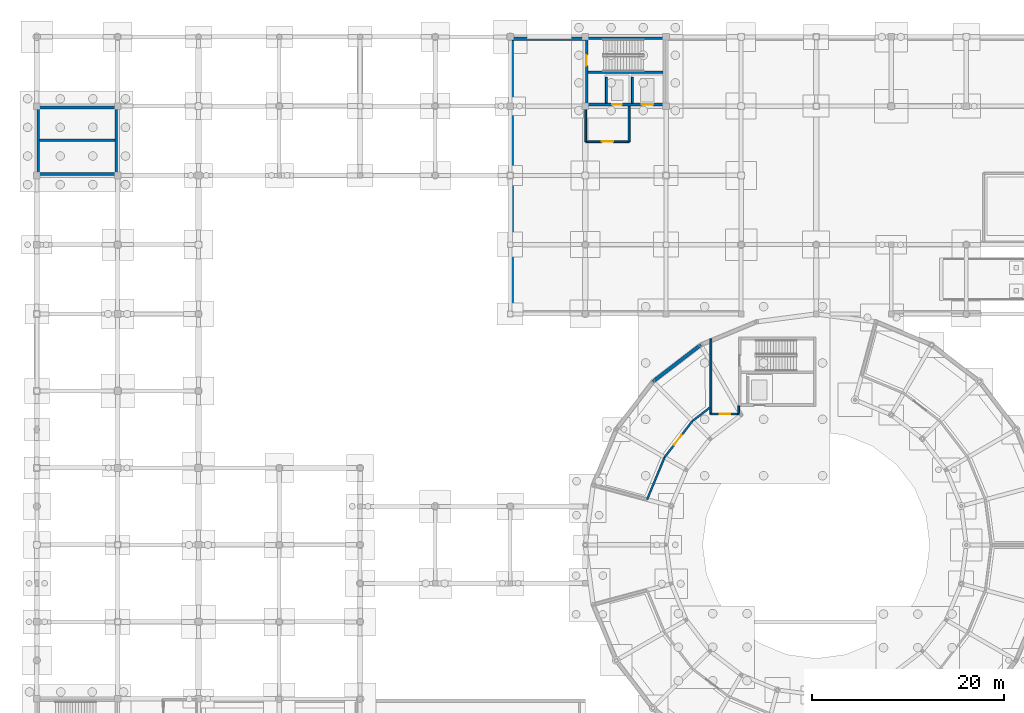
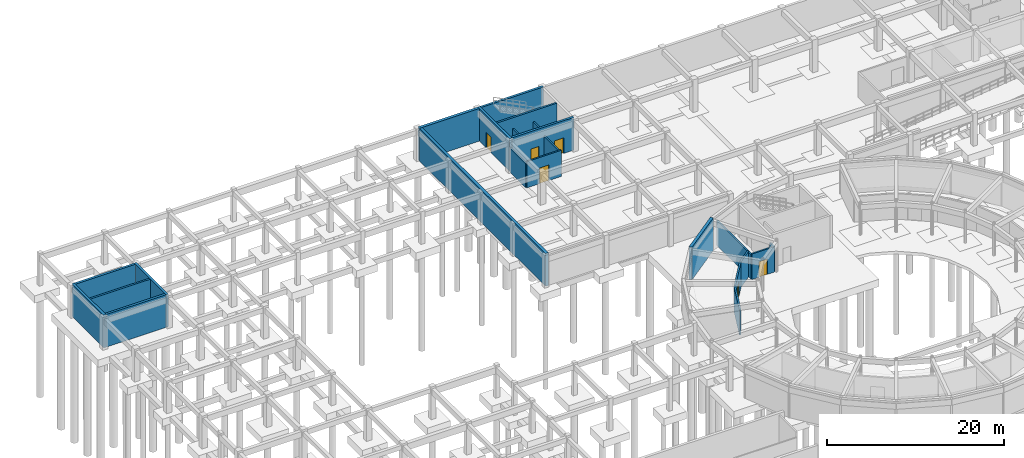
# One storey, part 31 of 43: 23 walls, 6 doors, 6 openings.
"""IFC4 building model written with IfcOpenShell, lengths in metres."""

import ifcopenshell
import ifcopenshell.guid

model = None  # the IFC model being written
_history = None  # IfcOwnerHistory: only IFC2X3 demands one
_inside = {}  # id of a spatial element -> (the spatial element, [elements in it])
_under = {}  # id of a project, library or spatial element -> (it, [spatial elements below it])
_declared = {}  # id of a project -> (the project, [libraries it declares])
_typed = {}  # id of a type object -> (the type object, [elements of that type])
_made_of = {}  # id of a material, layer set ... -> (it, [elements and type objects made of it])


def new_model(schema):
    """Start an empty IFC model of exactly this schema.

    Asked for "IFC4X3", IfcOpenShell would pick the latest addendum, in which some entities
    have other attributes; the version numbers below select the first issue.
    IFC2X3 requires an IfcOwnerHistory on every rooted entity: one is made here for all.
    """
    global model, _history
    if schema == "IFC4X3":
        model = ifcopenshell.file(schema_version=(4, 3, 0, 0))
    else:
        model = ifcopenshell.file(schema=schema)
    _inside.clear()
    _under.clear()
    _declared.clear()
    _typed.clear()
    _made_of.clear()
    _history = None
    if model.schema == "IFC2X3":
        org = make("IfcOrganization", Name="unknown")
        user = make(
            "IfcPersonAndOrganization",
            ThePerson=make("IfcPerson", FamilyName="unknown"),
            TheOrganization=org,
        )
        app = make(
            "IfcApplication",
            ApplicationDeveloper=org,
            Version="unknown",
            ApplicationFullName="unknown",
            ApplicationIdentifier="unknown",
        )
        _history = make(
            "IfcOwnerHistory",
            OwningUser=user,
            OwningApplication=app,
            ChangeAction="ADDED",
            CreationDate=0,
        )
    return model


def make(cls, **values):
    """One entity of the class cls with the attributes given. An attribute that is None is left unset."""
    return model.create_entity(
        cls, **{name: value for name, value in values.items() if value is not None}
    )


def rooted(cls, **values):
    """An entity with a GlobalId (a new one), such as an element, a storey or a relation."""
    return make(cls, GlobalId=ifcopenshell.guid.new(), OwnerHistory=_history, **values)


def si_unit(unit_type, name, prefix=None):
    """IfcSIUnit, for example si_unit("LENGTHUNIT", "METRE", prefix="MILLI")."""
    return make("IfcSIUnit", UnitType=unit_type, Prefix=prefix, Name=name)


def derived_unit(unit_type, elements):
    """IfcDerivedUnit: a product of units, each with its exponent."""
    return make(
        "IfcDerivedUnit",
        Elements=[
            make("IfcDerivedUnitElement", Unit=unit, Exponent=power)
            for unit, power in elements
        ],
        UnitType=unit_type,
    )


def assignment(units):
    """IfcUnitAssignment: the units of a project."""
    return None if units is None else make("IfcUnitAssignment", Units=units)


def point(xyz):
    """IfcCartesianPoint."""
    return None if xyz is None else make("IfcCartesianPoint", Coordinates=xyz)


def direction(xyz):
    """IfcDirection."""
    return None if xyz is None else make("IfcDirection", DirectionRatios=xyz)


def frame(location, z_axis=None, x_axis=None):
    """IfcAxis2Placement3D, a coordinate frame: its origin and axes. An axis left out is left unset."""
    return make(
        "IfcAxis2Placement3D",
        Location=point(location),
        Axis=direction(z_axis),
        RefDirection=direction(x_axis),
    )


def frame_2d(location, x_axis=None):
    """IfcAxis2Placement2D, a coordinate frame in the plane: its origin and x axis."""
    return make(
        "IfcAxis2Placement2D", Location=point(location), RefDirection=direction(x_axis)
    )


def origin():
    """The frame at (0, 0, 0) with its axes left unset."""
    return frame((0.0, 0.0, 0.0))


def place(relative_to, where):
    """IfcLocalPlacement: puts the frame where relative to a parent placement (None: the world)."""
    return make(
        "IfcLocalPlacement", PlacementRelTo=relative_to, RelativePlacement=where
    )


def context(
    kind, dimensions, precision=None, world=None, true_north=None, identifier=None
):
    """IfcGeometricRepresentationContext, for example the 3D "Model" context."""
    return make(
        "IfcGeometricRepresentationContext",
        ContextIdentifier=identifier,
        ContextType=kind,
        CoordinateSpaceDimension=dimensions,
        Precision=precision,
        WorldCoordinateSystem=world,
        TrueNorth=true_north,
    )


def subcontext(parent, identifier, kind, view, scale=None):
    """IfcGeometricRepresentationSubContext, for example "Body" below "Model"."""
    return make(
        "IfcGeometricRepresentationSubContext",
        ContextIdentifier=identifier,
        ContextType=kind,
        ParentContext=parent,
        TargetScale=scale,
        TargetView=view,
    )


def project(units=None, contexts=None):
    """IfcProject with its units and contexts."""
    return rooted(
        "IfcProject",
        Name="project",
        RepresentationContexts=contexts,
        UnitsInContext=assignment(units),
    )


def spatial(cls, under=None, at=None, **own):
    """A site, building, storey or space (cls), placed at a placement, below another one or the project."""
    s = rooted(cls, ObjectPlacement=at, **own)
    if under is not None:
        _under.setdefault(under.id(), (under, []))[1].append(s)
    return s


def profile(cls, at=None, kind="AREA", **sizes):
    """A parametric profile (cls). Its sizes go by their IFC names, for example OverallWidth=200.0."""
    return make(cls, ProfileType=kind, Position=at, **sizes)


def rectangle(**sizes):
    """IfcRectangleProfileDef."""
    return profile("IfcRectangleProfileDef", **sizes)


def extrude(swept, where, along, depth):
    """IfcExtrudedAreaSolid: the profile swept, set in the frame where, extruded along a direction by depth."""
    return make(
        "IfcExtrudedAreaSolid",
        SweptArea=swept,
        Position=where,
        ExtrudedDirection=direction(along),
        Depth=depth,
    )


def shape(context_of_items, identifier, shape_type, items):
    """IfcShapeRepresentation: the items that make up one representation, for example the "Body"."""
    return make(
        "IfcShapeRepresentation",
        ContextOfItems=context_of_items,
        RepresentationIdentifier=identifier,
        RepresentationType=shape_type,
        Items=items,
    )


def material(Name=None, Category=None):
    """IfcMaterial."""
    return make("IfcMaterial", Name=Name, Category=Category)


def layer(
    of_material, thickness, ventilated=None, Name=None, Category=None, Priority=None
):
    """IfcMaterialLayer: one layer of a wall or slab, of a material (None: an air gap)."""
    return make(
        "IfcMaterialLayer",
        Material=of_material,
        LayerThickness=thickness,
        IsVentilated=ventilated,
        Name=Name,
        Category=Category,
        Priority=Priority,
    )


def layer_set(layers, Name=None):
    """IfcMaterialLayerSet."""
    return make("IfcMaterialLayerSet", MaterialLayers=layers, LayerSetName=Name)


def made_of(thing, what):
    """Note that an element or type object is made of a material, layer set ...; save() writes the relation."""
    if what is not None:
        _made_of.setdefault(what.id(), (what, []))[1].append(thing)
    return thing


def type_object(cls, material=None, **own):
    """A type object (cls), such as IfcWallType, which elements share."""
    return made_of(rooted(cls, **own), material)


def element(
    cls,
    number,
    at=None,
    inside=None,
    cuts=None,
    type_object=None,
    material=None,
    context=None,
    identifier="Body",
    shape_type=None,
    held_by="IfcProductDefinitionShape",
    body=None,
    shapes=None,
    **own,
):
    """One element of the class cls, such as IfcWall. Its Tag is "e" and its number.

    at: its placement. inside: the storey or other place that contains it. cuts: it is an
    opening in that element (IfcRelVoidsElement). A single representation is given by context,
    identifier, shape_type and body (its items); several are given by shapes. held_by: the class
    of the entity that holds the representations. save() writes the other relations.
    """
    e = rooted(cls, Tag="e%d" % number, ObjectPlacement=at, **own)
    if body is not None:
        shapes = [shape(context, identifier, shape_type, body)]
    if shapes is not None:
        e.Representation = make(held_by, Representations=shapes)
    if inside is not None:
        _inside.setdefault(inside.id(), (inside, []))[1].append(e)
    if cuts is not None:
        rooted(
            "IfcRelVoidsElement", RelatingBuildingElement=cuts, RelatedOpeningElement=e
        )
    if type_object is not None:
        _typed.setdefault(type_object.id(), (type_object, []))[1].append(e)
    return made_of(e, material)


def fill(opening, filler):
    """IfcRelFillsElement: the door or window that sits in an opening."""
    return rooted(
        "IfcRelFillsElement",
        RelatingOpeningElement=opening,
        RelatedBuildingElement=filler,
    )


def aggregate(whole, parts):
    """IfcRelAggregates: a whole, such as a stair, and the parts it consists of."""
    return rooted("IfcRelAggregates", RelatingObject=whole, RelatedObjects=parts)


def save(model, path):
    """Write the relations noted so far, then the file.

    IfcRelAggregates (storeys below a building ...), IfcRelContainedInSpatialStructure (elements
    in a storey), IfcRelDefinesByType, IfcRelAssociatesMaterial and IfcRelDeclares: one each for
    every whole, place, type object, material and project.
    """
    for whole, parts in _under.values():
        aggregate(whole, parts)
    for where, things in _inside.values():
        rooted(
            "IfcRelContainedInSpatialStructure",
            RelatedElements=things,
            RelatingStructure=where,
        )
    for kind, things in _typed.values():
        rooted("IfcRelDefinesByType", RelatedObjects=things, RelatingType=kind)
    for what, things in _made_of.values():
        rooted("IfcRelAssociatesMaterial", RelatedObjects=things, RelatingMaterial=what)
    for by, libraries in _declared.values():
        rooted("IfcRelDeclares", RelatingContext=by, RelatedDefinitions=libraries)
    model.write(path)


model = new_model("IFC4")

# Units and contexts
model_context = context("Model", 3, precision=1e-05, world=origin(), true_north=direction((0.0, 1.0)))
body_context = subcontext(model_context, "Body", "Model", "MODEL_VIEW")
ifc_project = project(units=[si_unit("LENGTHUNIT", "METRE"), si_unit("AREAUNIT", "SQUARE_METRE"), si_unit("VOLUMEUNIT", "CUBIC_METRE"), si_unit("PLANEANGLEUNIT", "RADIAN"), si_unit("MASSUNIT", "GRAM", prefix="KILO"), derived_unit("THERMALTRANSMITTANCEUNIT", [(si_unit("POWERUNIT", "WATT"), 1), (si_unit("AREAUNIT", "SQUARE_METRE"), -1), (si_unit("THERMODYNAMICTEMPERATUREUNIT", "KELVIN"), -1)])], contexts=[model_context])

# Site, building, storey
site_placement = place(None, origin())
site = spatial("IfcSite", under=ifc_project, at=site_placement, CompositionType="ELEMENT")
building_placement = place(site_placement, origin())
building = spatial("IfcBuilding", under=site, at=building_placement, Name="Yasenodar Specialist Clinic", CompositionType="ELEMENT")
storey_placement = place(building_placement, frame((0.0, 0.0, -4.5)))
storey = spatial("IfcBuildingStorey", under=building, at=storey_placement, Name="B1", CompositionType="ELEMENT", Elevation=-4.5)

# Wall, opening, door
ifc_material_1 = material(Name="Fire-Rated Gypsum and Mineral-Wool Wall")
ifc_layer_1 = layer(ifc_material_1, 0.195068359375)
ifc_layer_set_1 = layer_set([ifc_layer_1], Name="Fire-Rated Gypsum and Mineral-Wool Wall")
wall_type_1 = type_object("IfcWallType", Name="IW-LOBBY-195", PredefinedType="PARTITIONING", material=ifc_layer_set_1)
wall_1_placement = place(storey_placement, frame((57.050048828125, 100.699951171875, 0.0), z_axis=(0.0, 0.0, 1.0), x_axis=(1.0, 0.0, 0.0)))
wall_1 = element("IfcWall", 1, at=wall_1_placement, inside=storey, type_object=wall_type_1, Name="B1 C4 Firefighting Lobby South Wall", PredefinedType="PARTITIONING", context=body_context, shape_type="SweptSolid", body=[
    extrude(rectangle(XDim=4.5, YDim=0.195068359375, at=frame_2d((2.25, 0.0))), origin(), (0.0, 0.0, 1.0), 3.613037109375),
])
opening_1_placement = place(wall_1_placement, frame((1.64990234375, 0.0, 0.0)))
opening_1 = element("IfcOpeningElement", 2, at=opening_1_placement, cuts=wall_1, Name="Opening FD-02", PredefinedType="OPENING", context=body_context, shape_type="SweptSolid", body=[
    extrude(rectangle(XDim=1.199951171875, YDim=2.14990234375, at=frame_2d((0.60009765625, 1.074951171875))), frame((0.0, 0.107421875, 0.0), z_axis=(0.0, -1.0, 0.0), x_axis=(1.0, 0.0, 0.0)), (0.0, 0.0, 1.0), 0.215087890625),
])
ifc_material_2 = material(Name="Fire-Rated Insulated Steel Door", Category="steel")
door_type_1 = type_object("IfcDoorType", Name="DR-FD-120", OperationType="NOTDEFINED", PredefinedType="DOOR", material=ifc_material_2)
door_1_placement = place(opening_1_placement, origin())
door_1 = element("IfcDoor", 3, at=door_1_placement, inside=storey, type_object=door_type_1, Name="B1 C4 Firefighting Lobby Door", OperationType="SINGLE_SWING_RIGHT", OverallHeight=2.14990234375, OverallWidth=1.199951171875, PredefinedType="DOOR", context=body_context, shape_type="SweptSolid", body=[
    extrude(rectangle(XDim=1.199951171875, YDim=2.14990234375, at=frame_2d((0.60009765625, 1.074951171875))), frame((0.0, 0.02490234375, 0.0), z_axis=(0.0, -1.0, 0.0), x_axis=(1.0, 0.0, 0.0)), (0.0, 0.0, 1.0), 0.050048828125),
])
fill(opening_1, door_1)

# Walls
for number, where, z_axis, x_axis, name in (
    (4, (61.550048828125, 100.699951171875, 0.0), (0.0, 0.0, 1.0), (0.0, 1.0, 0.0), "B1 C4 Firefighting Lobby East Wall"),
    (5, (57.050048828125, 100.699951171875, 0.0), (0.0, 0.0, 1.0), (0.0, 1.0, 0.0), "B1 C4 Firefighting Lobby West Wall"),
):
    element("IfcWall", number, at=place(storey_placement, frame(where, z_axis=z_axis, x_axis=x_axis)), inside=storey, type_object=wall_type_1, Name=name, PredefinedType="PARTITIONING", context=body_context, shape_type="SweptSolid", body=[
        extrude(rectangle(XDim=3.699951171875, YDim=0.195068359375, at=frame_2d((1.85009765625, 0.0))), origin(), (0.0, 0.0, 1.0), 3.31298828125),
    ])
wall_2_placement = place(storey_placement, frame((70.050048828125, 72.39990234375, 0.0), z_axis=(0.0, 0.0, 1.0), x_axis=(0.0, 1.0, 0.0)))
element("IfcWall", 6, at=wall_2_placement, inside=storey, type_object=wall_type_1, Name="B1 C3 Stair Vestibule West Wall", PredefinedType="PARTITIONING", context=body_context, shape_type="SweptSolid", body=[
    extrude(rectangle(XDim=7.800048828125, YDim=0.195068359375, at=frame_2d((3.89990234375, 0.0))), origin(), (0.0, 0.0, 1.0), 3.4130859375),
])

# Wall, opening, door
wall_3_placement = place(storey_placement, frame((70.050048828125, 72.39990234375, 0.0), z_axis=(0.0, 0.0, 1.0), x_axis=(1.0, 0.0, 0.0)))
wall_3 = element("IfcWall", 7, at=wall_3_placement, inside=storey, type_object=wall_type_1, Name="B1 C3 Stair Vestibule South Wall", PredefinedType="PARTITIONING", context=body_context, shape_type="SweptSolid", body=[
    extrude(rectangle(XDim=2.89990234375, YDim=0.195068359375, at=frame_2d((1.449951171875, 0.0))), origin(), (0.0, 0.0, 1.0), 3.512939453125),
])
opening_2_placement = place(wall_3_placement, frame((0.89990234375, 0.0, 0.0)))
opening_2 = element("IfcOpeningElement", 8, at=opening_2_placement, cuts=wall_3, Name="Opening FD-01", PredefinedType="OPENING", context=body_context, shape_type="SweptSolid", body=[
    extrude(rectangle(XDim=1.10009765625, YDim=2.14990234375, at=frame_2d((0.550048828125, 1.074951171875))), frame((0.0, 0.107421875, 0.0), z_axis=(0.0, -1.0, 0.0), x_axis=(1.0, 0.0, 0.0)), (0.0, 0.0, 1.0), 0.215087890625),
])
door_type_2 = type_object("IfcDoorType", Name="DR-FD-110", OperationType="NOTDEFINED", PredefinedType="DOOR", material=ifc_material_2)
door_2_placement = place(opening_2_placement, origin())
door_2 = element("IfcDoor", 9, at=door_2_placement, inside=storey, type_object=door_type_2, Name="B1 Stair ST-03 Ring Corridor Vestibule Door", OperationType="SINGLE_SWING_LEFT", OverallHeight=2.14990234375, OverallWidth=1.10009765625, PredefinedType="DOOR", context=body_context, shape_type="SweptSolid", body=[
    extrude(rectangle(XDim=1.10009765625, YDim=2.14990234375, at=frame_2d((0.550048828125, 1.074951171875))), frame((0.0, 0.02490234375, 0.0), z_axis=(0.0, -1.0, 0.0), x_axis=(1.0, 0.0, 0.0)), (0.0, 0.0, 1.0), 0.050048828125),
])
fill(opening_2, door_2)

# Walls
wall_4_placement = place(storey_placement, frame((72.949951171875, 72.39990234375, 0.0), z_axis=(0.0, 0.0, 1.0), x_axis=(0.0, 1.0, 0.0)))
element("IfcWall", 10, at=wall_4_placement, inside=storey, type_object=wall_type_1, Name="B1 C3 Stair Vestibule Corner Return Wall", PredefinedType="PARTITIONING", context=body_context, shape_type="SweptSolid", body=[
    extrude(rectangle(XDim=0.85009765625, YDim=0.195068359375, at=frame_2d((0.425048828125, 0.0))), origin(), (0.0, 0.0, 1.0), 3.512939453125),
])
ifc_material_3 = material(Name="Aerated Concrete Blockwork Fire Shaft Wall", Category="masonry")
ifc_layer_2 = layer(ifc_material_3, 0.205078125)
ifc_layer_set_2 = layer_set([ifc_layer_2], Name="Aerated Concrete Blockwork Fire Shaft Wall")
wall_type_2 = type_object("IfcWallType", Name="IW-SHAFT-205", PredefinedType="PARTITIONING", material=ifc_layer_set_2)
for number, where, z_axis, x_axis, name in (
    (11, (59.199951171875, 104.699951171875, 0.0), (0.0, 0.0, 1.0), (0.0, 1.0, 0.0), "B1 LF-02 Lift Shaft Side Wall"),
    (12, (61.89990234375, 104.699951171875, 0.0), (0.0, 0.0, 1.0), (0.0, 1.0, 0.0), "B1 LF-04 Lift Shaft Side Wall"),
):
    element("IfcWall", number, at=place(storey_placement, frame(where, z_axis=z_axis, x_axis=x_axis)), inside=storey, type_object=wall_type_2, Name=name, PredefinedType="PARTITIONING", context=body_context, shape_type="SweptSolid", body=[
        extrude(rectangle(XDim=2.699951171875, YDim=0.205078125, at=frame_2d((1.35009765625, 0.0))), origin(), (0.0, 0.0, 1.0), 3.31298828125),
    ])

# Wall, opening, door
wall_5_placement = place(storey_placement, frame((68.130615234375, 71.669189453125, 0.0), z_axis=(0.0, 0.0, 1.0), x_axis=(-0.608769147025, -0.793347417989, 0.0)))
wall_5 = element("IfcWall", 13, at=wall_5_placement, inside=storey, type_object=wall_type_2, Name="B1 Autoclave Sterilization Suite Partition", PredefinedType="PARTITIONING", context=body_context, shape_type="SweptSolid", body=[
    extrude(rectangle(XDim=4.751220703125, YDim=0.205078125, at=frame_2d((2.37548828125, 0.0))), origin(), (0.0, 0.0, 1.0), 3.512939453125),
])
opening_3_placement = place(wall_5_placement, frame((1.82568359375, 0.0, 0.0)))
opening_3 = element("IfcOpeningElement", 14, at=opening_3_placement, cuts=wall_5, Name="Opening FD-03", PredefinedType="OPENING", context=body_context, shape_type="SweptSolid", body=[
    extrude(rectangle(XDim=1.320068359375, YDim=2.179931640625, at=frame_2d((0.66015625, 1.08984375))), frame((0.0, 0.112548828125, 0.0), z_axis=(0.0, -1.0, 0.0), x_axis=(1.0, 0.0, 0.0)), (0.0, 0.0, 1.0), 0.22509765625),
])
door_type_3 = type_object("IfcDoorType", Name="DR-FD-132", OperationType="NOTDEFINED", PredefinedType="DOOR", material=ifc_material_2)
door_3_placement = place(opening_3_placement, origin())
door_3 = element("IfcDoor", 15, at=door_3_placement, inside=storey, type_object=door_type_3, Name="B1 Autoclave Sterilization Suite Door", OperationType="SINGLE_SWING_RIGHT", OverallHeight=2.179931640625, OverallWidth=1.320068359375, PredefinedType="DOOR", context=body_context, shape_type="SweptSolid", body=[
    extrude(rectangle(XDim=1.320068359375, YDim=2.179931640625, at=frame_2d((0.66015625, 1.08984375))), frame((0.0, 0.02490234375, 0.0), z_axis=(0.0, -1.0, 0.0), x_axis=(1.0, 0.0, 0.0)), (0.0, 0.0, 1.0), 0.050048828125),
])
fill(opening_3, door_3)

# Walls
wall_6_placement = place(storey_placement, frame((65.23828125, 67.89990234375, 0.0), z_axis=(0.0, 0.0, 1.0), x_axis=(-0.382677044484, -0.923882178432, 0.0)))
element("IfcWall", 16, at=wall_6_placement, inside=storey, type_object=wall_type_2, Name="B1 Autoclave Sterilization Suite Partition", PredefinedType="PARTITIONING", context=body_context, shape_type="SweptSolid", body=[
    extrude(rectangle(XDim=4.7509765625, YDim=0.205078125, at=frame_2d((2.37548828125, 0.0))), origin(), (0.0, 0.0, 1.0), 3.512939453125),
])
wall_7_placement = place(storey_placement, frame((69.968505859375, 73.079345703125, 0.0), z_axis=(0.0, 0.0, 1.0), x_axis=(-0.7933756116, -0.608732403374, 0.0)))
element("IfcWall", 17, at=wall_7_placement, inside=storey, type_object=wall_type_2, Name="B1 Autoclave Sterilization Suite Partition", PredefinedType="PARTITIONING", context=body_context, shape_type="SweptSolid", body=[
    extrude(rectangle(XDim=2.316650390625, YDim=0.205078125, at=frame_2d((1.158203125, 0.0))), origin(), (0.0, 0.0, 1.0), 3.512939453125),
])
ifc_material_4 = material(Name="Concrete C35/45", Category="concrete")
ifc_layer_3 = layer(ifc_material_4, 0.25)
ifc_layer_set_3 = layer_set([ifc_layer_3], Name="Concrete C35/45")
wall_type_3 = type_object("IfcWallType", Name="WL-CORE-250", PredefinedType="SHEAR", material=ifc_layer_set_3)
for number, where, z_axis, x_axis, name in (
    (18, (0.300048828125, 100.85009765625, 0.0), (0.0, 0.0, 1.0), (1.0, 0.0, 0.0), "B1 Core C2 Central Spine Wall"),
    (19, (57.300048828125, 107.89990234375, 0.0), (0.0, 0.0, 1.0), (1.0, 0.0, 0.0), "B1 Core C4 Central Spine Wall"),
):
    element("IfcWall", number, at=place(storey_placement, frame(where, z_axis=z_axis, x_axis=x_axis)), inside=storey, type_object=wall_type_3, Name=name, PredefinedType="SHEAR", context=body_context, shape_type="SweptSolid", body=[
        extrude(rectangle(XDim=7.800048828125, YDim=0.25, at=frame_2d((3.89990234375, 0.0))), origin(), (0.0, 0.0, 1.0), 4.5),
    ])
ifc_layer_4 = layer(ifc_material_4, 0.300048828125)
ifc_layer_set_4 = layer_set([ifc_layer_4], Name="Concrete C35/45")
wall_type_4 = type_object("IfcWallType", Name="WL-CORE-300", PredefinedType="SHEAR", material=ifc_layer_set_4)
for number, where, z_axis, x_axis, name in (
    (20, (0.0, 104.25, 0.0), (0.0, 0.0, 1.0), (1.0, 0.0, 0.0), "B1 Core C2 North Shear Wall"),
    (21, (0.0, 97.35009765625, 0.0), (0.0, 0.0, 1.0), (1.0, 0.0, 0.0), "B1 Core C2 South Shear Wall"),
):
    element("IfcWall", number, at=place(storey_placement, frame(where, z_axis=z_axis, x_axis=x_axis)), inside=storey, type_object=wall_type_4, Name=name, PredefinedType="SHEAR", context=body_context, shape_type="SweptSolid", body=[
        extrude(rectangle(XDim=8.39990234375, YDim=0.300048828125, at=frame_2d((4.199951171875, 0.0))), origin(), (0.0, 0.0, 1.0), 4.5),
    ])
for number, where, z_axis, x_axis, name in (
    (22, (0.14990234375, 97.199951171875, 0.0), (0.0, 0.0, 1.0), (0.0, 1.0, 0.0), "B1 Core C2 West Shear Wall"),
    (23, (8.25, 97.199951171875, 0.0), (0.0, 0.0, 1.0), (0.0, 1.0, 0.0), "B1 Core C2 East Shear Wall"),
):
    element("IfcWall", number, at=place(storey_placement, frame(where, z_axis=z_axis, x_axis=x_axis)), inside=storey, type_object=wall_type_4, Name=name, PredefinedType="SHEAR", context=body_context, shape_type="SweptSolid", body=[
        extrude(rectangle(XDim=7.199951171875, YDim=0.300048828125, at=frame_2d((3.60009765625, 0.0))), origin(), (0.0, 0.0, 1.0), 4.5),
    ])
wall_8_placement = place(storey_placement, frame((57.0, 111.449951171875, 0.0), z_axis=(0.0, 0.0, 1.0), x_axis=(1.0, 0.0, 0.0)))
element("IfcWall", 24, at=wall_8_placement, inside=storey, type_object=wall_type_4, Name="B1 Core C4 North Shear Wall", PredefinedType="SHEAR", context=body_context, shape_type="SweptSolid", body=[
    extrude(rectangle(XDim=8.39990234375, YDim=0.300048828125, at=frame_2d((4.199951171875, 0.0))), origin(), (0.0, 0.0, 1.0), 4.5),
])

# Wall, openings, doors
wall_9_placement = place(storey_placement, frame((57.0, 104.550048828125, 0.0), z_axis=(0.0, 0.0, 1.0), x_axis=(1.0, 0.0, 0.0)))
wall_9 = element("IfcWall", 25, at=wall_9_placement, inside=storey, type_object=wall_type_4, Name="B1 Core C4 South Shear Wall", PredefinedType="SHEAR", context=body_context, shape_type="SweptSolid", body=[
    extrude(rectangle(XDim=8.39990234375, YDim=0.300048828125, at=frame_2d((4.199951171875, 0.0))), origin(), (0.0, 0.0, 1.0), 4.5),
])
opening_4_placement = place(wall_9_placement, frame((2.800048828125, 0.0, 0.0)))
opening_4 = element("IfcOpeningElement", 26, at=opening_4_placement, cuts=wall_9, Name="Opening LD-01", PredefinedType="OPENING", context=body_context, shape_type="SweptSolid", body=[
    extrude(rectangle(XDim=1.0, YDim=2.10009765625, at=frame_2d((0.5, 1.050048828125))), frame((0.0, 0.16015625, 0.0), z_axis=(0.0, -1.0, 0.0), x_axis=(1.0, 0.0, 0.0)), (0.0, 0.0, 1.0), 0.320068359375),
])
opening_5_placement = place(wall_9_placement, frame((5.85009765625, 0.0, 0.0)))
opening_5 = element("IfcOpeningElement", 27, at=opening_5_placement, cuts=wall_9, Name="Opening LD-02", PredefinedType="OPENING", context=body_context, shape_type="SweptSolid", body=[
    extrude(rectangle(XDim=1.199951171875, YDim=2.14990234375, at=frame_2d((0.60009765625, 1.074951171875))), frame((0.0, 0.16015625, 0.0), z_axis=(0.0, -1.0, 0.0), x_axis=(1.0, 0.0, 0.0)), (0.0, 0.0, 1.0), 0.320068359375),
])
door_type_4 = type_object("IfcDoorType", Name="DR-LD-100", OperationType="DOUBLE_DOOR_SLIDING", PredefinedType="DOOR", material=ifc_material_2)
door_4_placement = place(opening_4_placement, origin())
door_4 = element("IfcDoor", 28, at=door_4_placement, inside=storey, type_object=door_type_4, Name="B1 LF-02 Lift Landing Door", OperationType="DOUBLE_DOOR_SLIDING", OverallHeight=2.10009765625, OverallWidth=1.0, PredefinedType="DOOR", context=body_context, shape_type="SweptSolid", body=[
    extrude(rectangle(XDim=1.0, YDim=2.10009765625, at=frame_2d((0.5, 1.050048828125))), frame((0.0, 0.02490234375, 0.0), z_axis=(0.0, -1.0, 0.0), x_axis=(1.0, 0.0, 0.0)), (0.0, 0.0, 1.0), 0.050048828125),
])
fill(opening_4, door_4)
door_type_5 = type_object("IfcDoorType", Name="DR-LD-120", OperationType="DOUBLE_DOOR_SLIDING", PredefinedType="DOOR", material=ifc_material_2)
door_5_placement = place(opening_5_placement, origin())
door_5 = element("IfcDoor", 29, at=door_5_placement, inside=storey, type_object=door_type_5, Name="B1 LF-04 Lift Landing Door", OperationType="DOUBLE_DOOR_SLIDING", OverallHeight=2.14990234375, OverallWidth=1.199951171875, PredefinedType="DOOR", context=body_context, shape_type="SweptSolid", body=[
    extrude(rectangle(XDim=1.199951171875, YDim=2.14990234375, at=frame_2d((0.60009765625, 1.074951171875))), frame((0.0, 0.02490234375, 0.0), z_axis=(0.0, -1.0, 0.0), x_axis=(1.0, 0.0, 0.0)), (0.0, 0.0, 1.0), 0.050048828125),
])
fill(opening_5, door_5)

# Wall, opening, door
wall_10_placement = place(storey_placement, frame((57.14990234375, 104.39990234375, 0.0), z_axis=(0.0, 0.0, 1.0), x_axis=(0.0, 1.0, 0.0)))
wall_10 = element("IfcWall", 30, at=wall_10_placement, inside=storey, type_object=wall_type_4, Name="B1 Core C4 West Shear Wall", PredefinedType="SHEAR", context=body_context, shape_type="SweptSolid", body=[
    extrude(rectangle(XDim=7.2001953125, YDim=0.300048828125, at=frame_2d((3.60009765625, 0.0))), origin(), (0.0, 0.0, 1.0), 4.5),
])
opening_6_placement = place(wall_10_placement, frame((4.199951171875, 0.0, 0.0)))
opening_6 = element("IfcOpeningElement", 31, at=opening_6_placement, cuts=wall_10, Name="Opening FD-01", PredefinedType="OPENING", context=body_context, shape_type="SweptSolid", body=[
    extrude(rectangle(XDim=1.10009765625, YDim=2.14990234375, at=frame_2d((0.550048828125, 1.074951171875))), frame((0.0, 0.16015625, 0.0), z_axis=(0.0, -1.0, 0.0), x_axis=(1.0, 0.0, 0.0)), (0.0, 0.0, 1.0), 0.320068359375),
])
door_6_placement = place(opening_6_placement, origin())
door_6 = element("IfcDoor", 32, at=door_6_placement, inside=storey, type_object=door_type_2, Name="B1 ST-04 Protected Stair Door", OperationType="SINGLE_SWING_RIGHT", OverallHeight=2.14990234375, OverallWidth=1.10009765625, PredefinedType="DOOR", context=body_context, shape_type="SweptSolid", body=[
    extrude(rectangle(XDim=1.10009765625, YDim=2.14990234375, at=frame_2d((0.550048828125, 1.074951171875))), frame((0.0, 0.02490234375, 0.0), z_axis=(0.0, -1.0, 0.0), x_axis=(1.0, 0.0, 0.0)), (0.0, 0.0, 1.0), 0.050048828125),
])
fill(opening_6, door_6)

# Walls
ifc_layer_5 = layer(ifc_material_4, 0.360107421875)
ifc_layer_set_5 = layer_set([ifc_layer_5], Name="Concrete C35/45")
wall_type_5 = type_object("IfcWallType", Name="WL-RET-360", PredefinedType="USERDEFINED", material=ifc_layer_set_5)
wall_11_placement = place(storey_placement, frame((49.3798828125, 82.800048828125, 0.0), z_axis=(0.0, 0.0, 1.0), x_axis=(0.0, 1.0, 0.0)))
element("IfcWall", 33, at=wall_11_placement, inside=storey, type_object=wall_type_5, Name="B1 Retaining Wall 08", ObjectType="RETAININGWALL", PredefinedType="USERDEFINED", context=body_context, shape_type="SweptSolid", body=[
    extrude(rectangle(XDim=28.800048828125, YDim=0.360107421875, at=frame_2d((14.39990234375, 0.0))), origin(), (0.0, 0.0, 1.0), 4.5),
])
wall_12_placement = place(storey_placement, frame((49.199951171875, 111.419921875, 0.0), z_axis=(0.0, 0.0, 1.0), x_axis=(1.0, 0.0, 0.0)))
element("IfcWall", 34, at=wall_12_placement, inside=storey, type_object=wall_type_5, Name="B1 Retaining Wall 13", ObjectType="RETAININGWALL", PredefinedType="USERDEFINED", context=body_context, shape_type="SweptSolid", body=[
    extrude(rectangle(XDim=7.800048828125, YDim=0.360107421875, at=frame_2d((3.89990234375, 0.0))), origin(), (0.0, 0.0, 1.0), 4.5),
])
wall_13_placement = place(storey_placement, frame((69.0, 79.584716796875, 0.0), z_axis=(0.0, 0.0, 1.0), x_axis=(-0.793349152542, -0.608766886551, 0.0)))
element("IfcWall", 35, at=wall_13_placement, inside=storey, type_object=wall_type_5, Name="B1 Drum V1 Retaining Chord 09", ObjectType="RETAININGWALL", PredefinedType="USERDEFINED", context=body_context, shape_type="SweptSolid", body=[
    extrude(rectangle(XDim=6.265380859375, YDim=0.360107421875, at=frame_2d((3.1328125, 0.0))), origin(), (0.0, 0.0, 1.0), 4.5),
])

save(model, "model.ifc")
